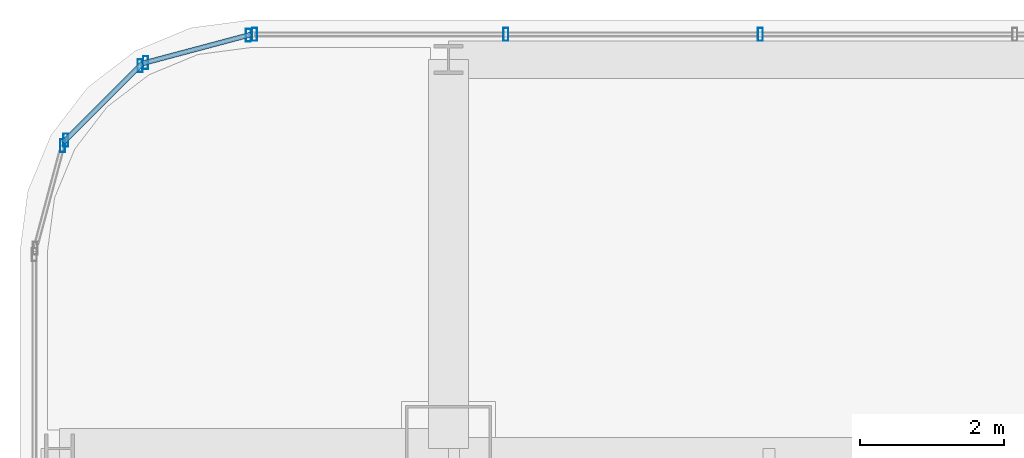
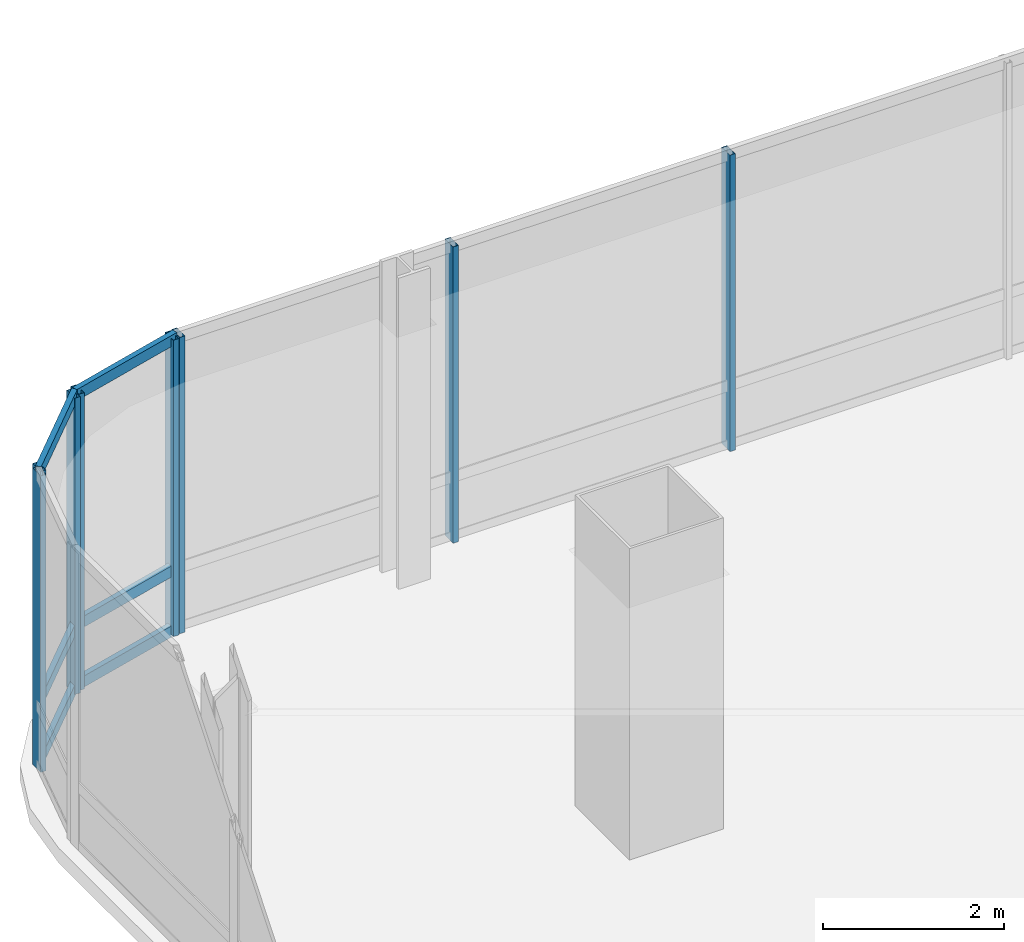
# One storey, part 23 of 41: 14 members, 4 elements without a shape of their own.
"""IFC4 building model written with IfcOpenShell, lengths in metres."""

from ifc_helpers import new_model, si_unit, direction, frame, origin, origin_2d, place, context, subcontext, project, spatial, hollow_rectangle, extrude, material, material_profile, profile_set, type_object, element, aggregate, save


model = new_model("IFC4")

# Units and contexts
model_context = context("Model", 3, precision=1e-05, world=origin(), true_north=direction((0.0, 1.0)))
body_context = subcontext(model_context, "Body", "Model", "MODEL_VIEW")
ifc_project = project(units=[si_unit("LENGTHUNIT", "METRE"), si_unit("AREAUNIT", "SQUARE_METRE"), si_unit("VOLUMEUNIT", "CUBIC_METRE"), si_unit("PLANEANGLEUNIT", "RADIAN"), si_unit("MASSUNIT", "GRAM", prefix="KILO")], contexts=[model_context])

# Site, building, storey
site_placement = place(None, origin())
site = spatial("IfcSite", under=ifc_project, at=site_placement, CompositionType="ELEMENT")
building_placement = place(site_placement, origin())
building = spatial("IfcBuilding", under=site, at=building_placement, Name="Punatoya Terracotta Tower", CompositionType="ELEMENT")
storey_placement = place(building_placement, frame((0.0, 0.0, 309.0)))
storey = spatial("IfcBuildingStorey", under=building, at=storey_placement, Name="L73", CompositionType="ELEMENT", Elevation=309.0)

# Curtain wall, members
ifc_material_1 = material(Name="Aluminium 6063-T6 + Double Low-E Glass", Category="aluminium")
curtain_wall_type = type_object("IfcCurtainWallType", Name="CW-M3", PredefinedType="NOTDEFINED", material=ifc_material_1)
curtain_wall_1_placement = place(storey_placement, origin())
curtain_wall_1 = element("IfcCurtainWall", 1, at=curtain_wall_1_placement, inside=storey, type_object=curtain_wall_type, Name="L73 Curtain Wall CW-L73-N09-1", PredefinedType="NOTDEFINED")
ifc_material_2 = material(Name="Aluminium 6063-T6", Category="aluminium")
ifc_material_profile_1 = material_profile(ifc_material_2, hollow_rectangle(XDim=0.070068359375, YDim=0.179931640625, WallThickness=0.00390625, at=origin_2d()))
ifc_profile_set_1 = profile_set([ifc_material_profile_1], Name="Aluminium 6063-T6")
member_type_1 = type_object("IfcMemberType", Name="CW-MUL-M3", PredefinedType="MULLION", material=ifc_profile_set_1)
member_1_placement = place(storey_placement, frame((-14.768798828125, 23.25, 0.0), z_axis=(0.0, 0.0, 1.0), x_axis=(1.0, 0.0, 0.0)))
member_1 = element("IfcMember", 2, at=member_1_placement, type_object=member_type_1, Name="CW-L73-N09-1 Mullion 09", PredefinedType="MULLION", context=body_context, shape_type="SweptSolid", body=[
    extrude(hollow_rectangle(XDim=0.070068359375, YDim=0.179931640625, WallThickness=0.00390625, at=origin_2d()), origin(), (0.0, 0.0, 1.0), 4.0),
])
member_2_placement = place(storey_placement, frame((-18.302978515625, 23.25, 0.0), z_axis=(0.0, 0.0, 1.0), x_axis=(1.0, 0.0, 0.0)))
member_2 = element("IfcMember", 3, at=member_2_placement, type_object=member_type_1, Name="CW-L73-N09-1 Mullion 10", PredefinedType="MULLION", context=body_context, shape_type="SweptSolid", body=[
    extrude(hollow_rectangle(XDim=0.070068359375, YDim=0.179931640625, WallThickness=0.00390625, at=origin_2d()), origin(), (0.0, 0.0, 1.0), 4.0),
])
member_3_placement = place(storey_placement, frame((-21.7919921875, 23.25, 0.0), z_axis=(0.0, 0.0, 1.0), x_axis=(1.0, 0.0, 0.0)))
member_3 = element("IfcMember", 4, at=member_3_placement, type_object=member_type_1, Name="CW-L73-N09-1 Mullion 11", PredefinedType="MULLION", context=body_context, shape_type="SweptSolid", body=[
    extrude(hollow_rectangle(XDim=0.070068359375, YDim=0.179931640625, WallThickness=0.00390625, at=origin_2d()), origin(), (0.0, 0.0, 1.0), 4.0),
])
aggregate(curtain_wall_1, [member_1, member_2, member_3])

curtain_wall_2_placement = place(storey_placement, origin())
curtain_wall_2 = element("IfcCurtainWall", 5, at=curtain_wall_2_placement, inside=storey, type_object=curtain_wall_type, Name="L73 Curtain Wall CW-L73-CRN10", PredefinedType="NOTDEFINED")
member_4_placement = place(storey_placement, frame((-21.88037109375, 23.23828125, 0.0), z_axis=(0.0, 0.0, 1.0), x_axis=(1.0, 0.0, 0.0)))
member_4 = element("IfcMember", 6, at=member_4_placement, type_object=member_type_1, Name="CW-L73-CRN10 Mullion 00", PredefinedType="MULLION", context=body_context, shape_type="SweptSolid", body=[
    extrude(hollow_rectangle(XDim=0.070068359375, YDim=0.179931640625, WallThickness=0.00390625, at=origin_2d()), origin(), (0.0, 0.0, 1.0), 4.0),
])
member_5_placement = place(storey_placement, frame((-23.3056640625, 22.858154296875, 0.0), z_axis=(0.0, 0.0, 1.0), x_axis=(1.0, 0.0, 0.0)))
member_5 = element("IfcMember", 7, at=member_5_placement, type_object=member_type_1, Name="CW-L73-CRN10 Mullion 01", PredefinedType="MULLION", context=body_context, shape_type="SweptSolid", body=[
    extrude(hollow_rectangle(XDim=0.070068359375, YDim=0.179931640625, WallThickness=0.00390625, at=origin_2d()), origin(), (0.0, 0.0, 1.0), 4.0),
])

curtain_wall_3_placement = place(storey_placement, origin())
curtain_wall_3 = element("IfcCurtainWall", 8, at=curtain_wall_3_placement, inside=storey, type_object=curtain_wall_type, Name="L73 Curtain Wall CW-L73-CRN11", PredefinedType="NOTDEFINED")
member_6_placement = place(storey_placement, frame((-23.380859375, 22.814697265625, 0.0), z_axis=(0.0, 0.0, 1.0), x_axis=(1.0, 0.0, 0.0)))
member_6 = element("IfcMember", 9, at=member_6_placement, type_object=member_type_1, Name="CW-L73-CRN11 Mullion 00", PredefinedType="MULLION", context=body_context, shape_type="SweptSolid", body=[
    extrude(hollow_rectangle(XDim=0.070068359375, YDim=0.179931640625, WallThickness=0.00390625, at=origin_2d()), origin(), (0.0, 0.0, 1.0), 4.0),
])
member_7_placement = place(storey_placement, frame((-24.414794921875, 21.781005859375, 0.0), z_axis=(0.0, 0.0, 1.0), x_axis=(1.0, 0.0, 0.0)))
member_7 = element("IfcMember", 10, at=member_7_placement, type_object=member_type_1, Name="CW-L73-CRN11 Mullion 01", PredefinedType="MULLION", context=body_context, shape_type="SweptSolid", body=[
    extrude(hollow_rectangle(XDim=0.070068359375, YDim=0.179931640625, WallThickness=0.00390625, at=origin_2d()), origin(), (0.0, 0.0, 1.0), 4.0),
])

# Curtain wall, member
curtain_wall_4_placement = place(storey_placement, origin())
curtain_wall_4 = element("IfcCurtainWall", 11, at=curtain_wall_4_placement, inside=storey, type_object=curtain_wall_type, Name="L73 Curtain Wall CW-L73-CRN12", PredefinedType="NOTDEFINED")
member_8_placement = place(storey_placement, frame((-24.458251953125, 21.70556640625, 0.0), z_axis=(0.0, 0.0, 1.0), x_axis=(1.0, 0.0, 0.0)))
member_8 = element("IfcMember", 12, at=member_8_placement, type_object=member_type_1, Name="CW-L73-CRN12 Mullion 00", PredefinedType="MULLION", context=body_context, shape_type="SweptSolid", body=[
    extrude(hollow_rectangle(XDim=0.070068359375, YDim=0.179931640625, WallThickness=0.00390625, at=origin_2d()), origin(), (0.0, 0.0, 1.0), 4.0),
])
aggregate(curtain_wall_4, [member_8])

# Member
ifc_material_profile_2 = material_profile(ifc_material_2, hollow_rectangle(XDim=0.068115234375, YDim=0.14990234375, WallThickness=0.00390625, at=origin_2d()))
ifc_profile_set_2 = profile_set([ifc_material_profile_2], Name="Aluminium 6063-T6")
member_type_2 = type_object("IfcMemberType", Name="CW-TRN-TYP", PredefinedType="USERDEFINED", material=ifc_profile_set_2)
member_9_placement = place(storey_placement, frame((-21.8369140625, 23.25, 0.0400390625), z_axis=(-0.966224582397, -0.257701486942, 0.0), x_axis=(0.257701486942, -0.966224582397, 0.0)))
member_9 = element("IfcMember", 13, at=member_9_placement, type_object=member_type_2, Name="CW-L73-CRN10 Transom 1", ObjectType="TRANSOM", PredefinedType="USERDEFINED", context=body_context, shape_type="SweptSolid", body=[
    extrude(hollow_rectangle(XDim=0.068115234375, YDim=0.14990234375, WallThickness=0.00390625, at=origin_2d()), origin(), (0.0, 0.0, 1.0), 1.565185546875),
])

member_10_placement = place(storey_placement, frame((-21.8369140625, 23.25, 0.85009765625), z_axis=(-0.966224582397, -0.257701486942, 0.0), x_axis=(0.257701486942, -0.966224582397, 0.0)))
member_10 = element("IfcMember", 14, at=member_10_placement, type_object=member_type_2, Name="CW-L73-CRN10 Transom 2", ObjectType="TRANSOM", PredefinedType="USERDEFINED", context=body_context, shape_type="SweptSolid", body=[
    extrude(hollow_rectangle(XDim=0.068115234375, YDim=0.14990234375, WallThickness=0.00390625, at=origin_2d()), origin(), (0.0, 0.0, 1.0), 1.565185546875),
])

member_11_placement = place(storey_placement, frame((-21.8369140625, 23.25, 3.9599609375), z_axis=(-0.966224582397, -0.257701486942, 0.0), x_axis=(0.257701486942, -0.966224582397, 0.0)))
member_11 = element("IfcMember", 15, at=member_11_placement, type_object=member_type_2, Name="CW-L73-CRN10 Transom 3", ObjectType="TRANSOM", PredefinedType="USERDEFINED", context=body_context, shape_type="SweptSolid", body=[
    extrude(hollow_rectangle(XDim=0.068115234375, YDim=0.14990234375, WallThickness=0.00390625, at=origin_2d()), origin(), (0.0, 0.0, 1.0), 1.565185546875),
])

aggregate(curtain_wall_2, [member_4, member_5, member_9, member_10, member_11])

member_12_placement = place(storey_placement, frame((-23.34912109375, 22.8466796875, 0.0400390625), z_axis=(-0.707028130747, -0.707185422879, 0.0), x_axis=(0.707185422879, -0.707028130747, 0.0)))
member_12 = element("IfcMember", 16, at=member_12_placement, type_object=member_type_2, Name="CW-L73-CRN11 Transom 1", ObjectType="TRANSOM", PredefinedType="USERDEFINED", context=body_context, shape_type="SweptSolid", body=[
    extrude(hollow_rectangle(XDim=0.068115234375, YDim=0.14990234375, WallThickness=0.00390625, at=origin_2d()), origin(), (0.0, 0.0, 1.0), 1.55224609375),
])

member_13_placement = place(storey_placement, frame((-23.34912109375, 22.8466796875, 0.85009765625), z_axis=(-0.707028130747, -0.707185422879, 0.0), x_axis=(0.707185422879, -0.707028130747, 0.0)))
member_13 = element("IfcMember", 17, at=member_13_placement, type_object=member_type_2, Name="CW-L73-CRN11 Transom 2", ObjectType="TRANSOM", PredefinedType="USERDEFINED", context=body_context, shape_type="SweptSolid", body=[
    extrude(hollow_rectangle(XDim=0.068115234375, YDim=0.14990234375, WallThickness=0.00390625, at=origin_2d()), origin(), (0.0, 0.0, 1.0), 1.55224609375),
])

member_14_placement = place(storey_placement, frame((-23.34912109375, 22.8466796875, 3.9599609375), z_axis=(-0.707028130747, -0.707185422879, 0.0), x_axis=(0.707185422879, -0.707028130747, 0.0)))
member_14 = element("IfcMember", 18, at=member_14_placement, type_object=member_type_2, Name="CW-L73-CRN11 Transom 3", ObjectType="TRANSOM", PredefinedType="USERDEFINED", context=body_context, shape_type="SweptSolid", body=[
    extrude(hollow_rectangle(XDim=0.068115234375, YDim=0.14990234375, WallThickness=0.00390625, at=origin_2d()), origin(), (0.0, 0.0, 1.0), 1.55224609375),
])

aggregate(curtain_wall_3, [member_6, member_7, member_12, member_13, member_14])

save(model, "model.ifc")
